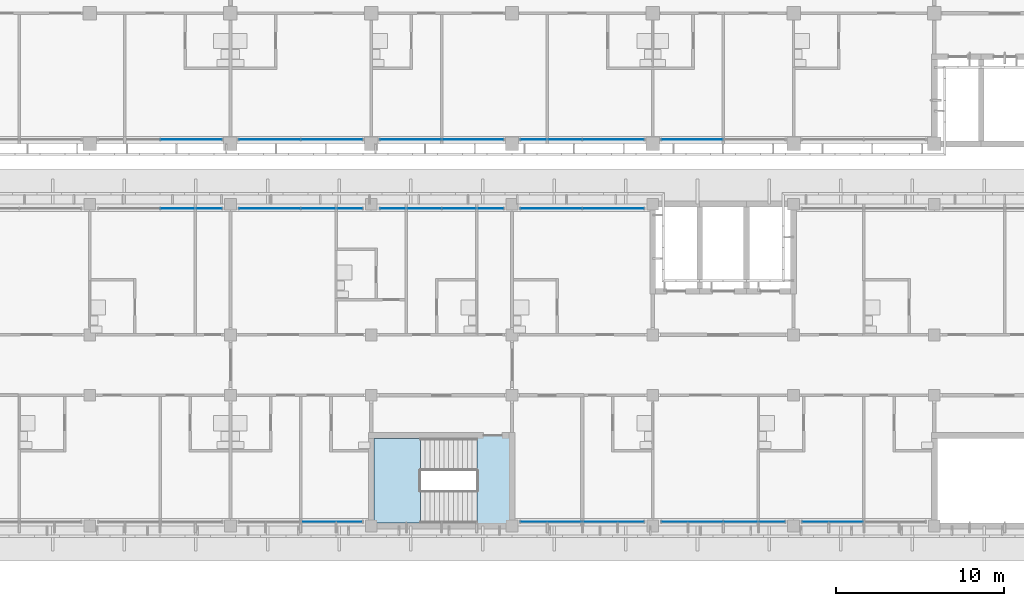
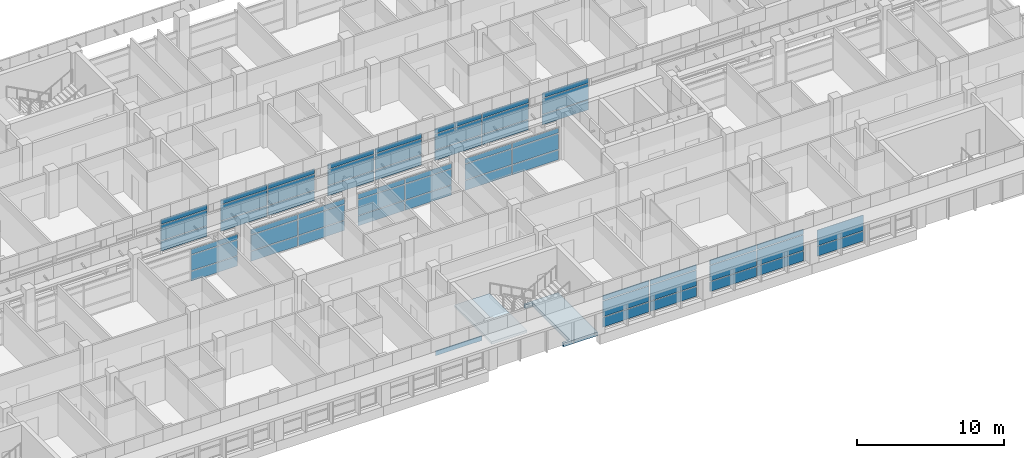
# One storey, part 23 of 71: 60 plates, 2 slabs, 14 elements without a shape of their own.
"""IFC4 building model written with IfcOpenShell, lengths in metres."""

import ifcopenshell
import ifcopenshell.guid

model = None  # the IFC model being written
_history = None  # IfcOwnerHistory: only IFC2X3 demands one
_inside = {}  # id of a spatial element -> (the spatial element, [elements in it])
_under = {}  # id of a project, library or spatial element -> (it, [spatial elements below it])
_declared = {}  # id of a project -> (the project, [libraries it declares])
_typed = {}  # id of a type object -> (the type object, [elements of that type])
_made_of = {}  # id of a material, layer set ... -> (it, [elements and type objects made of it])


def new_model(schema):
    """Start an empty IFC model of exactly this schema.

    Asked for "IFC4X3", IfcOpenShell would pick the latest addendum, in which some entities
    have other attributes; the version numbers below select the first issue.
    IFC2X3 requires an IfcOwnerHistory on every rooted entity: one is made here for all.
    """
    global model, _history
    if schema == "IFC4X3":
        model = ifcopenshell.file(schema_version=(4, 3, 0, 0))
    else:
        model = ifcopenshell.file(schema=schema)
    _inside.clear()
    _under.clear()
    _declared.clear()
    _typed.clear()
    _made_of.clear()
    _history = None
    if model.schema == "IFC2X3":
        org = make("IfcOrganization", Name="unknown")
        user = make(
            "IfcPersonAndOrganization",
            ThePerson=make("IfcPerson", FamilyName="unknown"),
            TheOrganization=org,
        )
        app = make(
            "IfcApplication",
            ApplicationDeveloper=org,
            Version="unknown",
            ApplicationFullName="unknown",
            ApplicationIdentifier="unknown",
        )
        _history = make(
            "IfcOwnerHistory",
            OwningUser=user,
            OwningApplication=app,
            ChangeAction="ADDED",
            CreationDate=0,
        )
    return model


def make(cls, **values):
    """One entity of the class cls with the attributes given. An attribute that is None is left unset."""
    return model.create_entity(
        cls, **{name: value for name, value in values.items() if value is not None}
    )


def rooted(cls, **values):
    """An entity with a GlobalId (a new one), such as an element, a storey or a relation."""
    return make(cls, GlobalId=ifcopenshell.guid.new(), OwnerHistory=_history, **values)


def si_unit(unit_type, name, prefix=None):
    """IfcSIUnit, for example si_unit("LENGTHUNIT", "METRE", prefix="MILLI")."""
    return make("IfcSIUnit", UnitType=unit_type, Prefix=prefix, Name=name)


def assignment(units):
    """IfcUnitAssignment: the units of a project."""
    return None if units is None else make("IfcUnitAssignment", Units=units)


def point(xyz):
    """IfcCartesianPoint."""
    return None if xyz is None else make("IfcCartesianPoint", Coordinates=xyz)


def direction(xyz):
    """IfcDirection."""
    return None if xyz is None else make("IfcDirection", DirectionRatios=xyz)


def frame(location, z_axis=None, x_axis=None):
    """IfcAxis2Placement3D, a coordinate frame: its origin and axes. An axis left out is left unset."""
    return make(
        "IfcAxis2Placement3D",
        Location=point(location),
        Axis=direction(z_axis),
        RefDirection=direction(x_axis),
    )


def frame_2d(location, x_axis=None):
    """IfcAxis2Placement2D, a coordinate frame in the plane: its origin and x axis."""
    return make(
        "IfcAxis2Placement2D", Location=point(location), RefDirection=direction(x_axis)
    )


def origin():
    """The frame at (0, 0, 0) with its axes left unset."""
    return frame((0.0, 0.0, 0.0))


def origin_2d():
    """The frame at (0, 0) in the plane with its x axis left unset."""
    return frame_2d((0.0, 0.0))


def place(relative_to, where):
    """IfcLocalPlacement: puts the frame where relative to a parent placement (None: the world)."""
    return make(
        "IfcLocalPlacement", PlacementRelTo=relative_to, RelativePlacement=where
    )


def context(
    kind, dimensions, precision=None, world=None, true_north=None, identifier=None
):
    """IfcGeometricRepresentationContext, for example the 3D "Model" context."""
    return make(
        "IfcGeometricRepresentationContext",
        ContextIdentifier=identifier,
        ContextType=kind,
        CoordinateSpaceDimension=dimensions,
        Precision=precision,
        WorldCoordinateSystem=world,
        TrueNorth=true_north,
    )


def subcontext(parent, identifier, kind, view, scale=None):
    """IfcGeometricRepresentationSubContext, for example "Body" below "Model"."""
    return make(
        "IfcGeometricRepresentationSubContext",
        ContextIdentifier=identifier,
        ContextType=kind,
        ParentContext=parent,
        TargetScale=scale,
        TargetView=view,
    )


def project(units=None, contexts=None):
    """IfcProject with its units and contexts."""
    return rooted(
        "IfcProject",
        Name="project",
        RepresentationContexts=contexts,
        UnitsInContext=assignment(units),
    )


def spatial(cls, under=None, at=None, **own):
    """A site, building, storey or space (cls), placed at a placement, below another one or the project."""
    s = rooted(cls, ObjectPlacement=at, **own)
    if under is not None:
        _under.setdefault(under.id(), (under, []))[1].append(s)
    return s


def polyline(points):
    """IfcPolyline through the points."""
    return make("IfcPolyline", Points=[point(p) for p in points])


def profile(cls, at=None, kind="AREA", **sizes):
    """A parametric profile (cls). Its sizes go by their IFC names, for example OverallWidth=200.0."""
    return make(cls, ProfileType=kind, Position=at, **sizes)


def rectangle(**sizes):
    """IfcRectangleProfileDef."""
    return profile("IfcRectangleProfileDef", **sizes)


def outline(outer, holes=None, kind="AREA"):
    """IfcArbitraryClosedProfileDef: a profile drawn as a closed curve; with holes, ...WithVoids."""
    if holes is None:
        return make("IfcArbitraryClosedProfileDef", ProfileType=kind, OuterCurve=outer)
    return make(
        "IfcArbitraryProfileDefWithVoids",
        ProfileType=kind,
        OuterCurve=outer,
        InnerCurves=holes,
    )


def extrude(swept, where, along, depth):
    """IfcExtrudedAreaSolid: the profile swept, set in the frame where, extruded along a direction by depth."""
    return make(
        "IfcExtrudedAreaSolid",
        SweptArea=swept,
        Position=where,
        ExtrudedDirection=direction(along),
        Depth=depth,
    )


def shape(context_of_items, identifier, shape_type, items):
    """IfcShapeRepresentation: the items that make up one representation, for example the "Body"."""
    return make(
        "IfcShapeRepresentation",
        ContextOfItems=context_of_items,
        RepresentationIdentifier=identifier,
        RepresentationType=shape_type,
        Items=items,
    )


def material(Name=None, Category=None):
    """IfcMaterial."""
    return make("IfcMaterial", Name=Name, Category=Category)


def layer(
    of_material, thickness, ventilated=None, Name=None, Category=None, Priority=None
):
    """IfcMaterialLayer: one layer of a wall or slab, of a material (None: an air gap)."""
    return make(
        "IfcMaterialLayer",
        Material=of_material,
        LayerThickness=thickness,
        IsVentilated=ventilated,
        Name=Name,
        Category=Category,
        Priority=Priority,
    )


def layer_set(layers, Name=None):
    """IfcMaterialLayerSet."""
    return make("IfcMaterialLayerSet", MaterialLayers=layers, LayerSetName=Name)


def made_of(thing, what):
    """Note that an element or type object is made of a material, layer set ...; save() writes the relation."""
    if what is not None:
        _made_of.setdefault(what.id(), (what, []))[1].append(thing)
    return thing


def type_object(cls, material=None, **own):
    """A type object (cls), such as IfcWallType, which elements share."""
    return made_of(rooted(cls, **own), material)


def element(
    cls,
    number,
    at=None,
    inside=None,
    cuts=None,
    type_object=None,
    material=None,
    context=None,
    identifier="Body",
    shape_type=None,
    held_by="IfcProductDefinitionShape",
    body=None,
    shapes=None,
    **own,
):
    """One element of the class cls, such as IfcWall. Its Tag is "e" and its number.

    at: its placement. inside: the storey or other place that contains it. cuts: it is an
    opening in that element (IfcRelVoidsElement). A single representation is given by context,
    identifier, shape_type and body (its items); several are given by shapes. held_by: the class
    of the entity that holds the representations. save() writes the other relations.
    """
    e = rooted(cls, Tag="e%d" % number, ObjectPlacement=at, **own)
    if body is not None:
        shapes = [shape(context, identifier, shape_type, body)]
    if shapes is not None:
        e.Representation = make(held_by, Representations=shapes)
    if inside is not None:
        _inside.setdefault(inside.id(), (inside, []))[1].append(e)
    if cuts is not None:
        rooted(
            "IfcRelVoidsElement", RelatingBuildingElement=cuts, RelatedOpeningElement=e
        )
    if type_object is not None:
        _typed.setdefault(type_object.id(), (type_object, []))[1].append(e)
    return made_of(e, material)


def aggregate(whole, parts):
    """IfcRelAggregates: a whole, such as a stair, and the parts it consists of."""
    return rooted("IfcRelAggregates", RelatingObject=whole, RelatedObjects=parts)


def save(model, path):
    """Write the relations noted so far, then the file.

    IfcRelAggregates (storeys below a building ...), IfcRelContainedInSpatialStructure (elements
    in a storey), IfcRelDefinesByType, IfcRelAssociatesMaterial and IfcRelDeclares: one each for
    every whole, place, type object, material and project.
    """
    for whole, parts in _under.values():
        aggregate(whole, parts)
    for where, things in _inside.values():
        rooted(
            "IfcRelContainedInSpatialStructure",
            RelatedElements=things,
            RelatingStructure=where,
        )
    for kind, things in _typed.values():
        rooted("IfcRelDefinesByType", RelatedObjects=things, RelatingType=kind)
    for what, things in _made_of.values():
        rooted("IfcRelAssociatesMaterial", RelatedObjects=things, RelatingMaterial=what)
    for by, libraries in _declared.values():
        rooted("IfcRelDeclares", RelatingContext=by, RelatedDefinitions=libraries)
    model.write(path)


model = new_model("IFC4")

# Units and contexts
model_context = context("Model", 3, precision=1e-05, world=origin(), true_north=direction((0.0, 1.0)))
body_context = subcontext(model_context, "Body", "Model", "MODEL_VIEW")
ifc_project = project(units=[si_unit("LENGTHUNIT", "METRE"), si_unit("AREAUNIT", "SQUARE_METRE"), si_unit("VOLUMEUNIT", "CUBIC_METRE"), si_unit("PLANEANGLEUNIT", "RADIAN"), si_unit("MASSUNIT", "GRAM", prefix="KILO")], contexts=[model_context])

# Site, building, storey
site_placement = place(None, origin())
site = spatial("IfcSite", under=ifc_project, at=site_placement, CompositionType="ELEMENT")
building_placement = place(site_placement, origin())
building = spatial("IfcBuilding", under=site, at=building_placement, Name="Bougainvillea Quay General Hospital", CompositionType="ELEMENT")
storey_placement = place(building_placement, frame((0.0, 0.0, 24.89990234375)))
storey = spatial("IfcBuildingStorey", under=building, at=storey_placement, Name="L05", CompositionType="ELEMENT", Elevation=24.89990234375)

# Curtain wall, plates
ifc_material_1 = material(Name="Aluminium curtain wall system, powder-coated glazed", Category="aluminium")
curtain_wall_type = type_object("IfcCurtainWallType", Name="Unitised curtain wall CW-3730", PredefinedType="NOTDEFINED", material=ifc_material_1)
curtain_wall_1_placement = place(storey_placement, origin())
curtain_wall_1 = element("IfcCurtainWall", 1, at=curtain_wall_1_placement, inside=storey, type_object=curtain_wall_type, Name="CW-4200 03", PredefinedType="NOTDEFINED")
ifc_material_2 = material(Name="Insulated aluminium spandrel panel, white", Category="aluminium")
ifc_layer_1 = layer(ifc_material_2, 0.028076171875)
ifc_layer_set_1 = layer_set([ifc_layer_1], Name="Insulated aluminium spandrel panel, white")
plate_type_1 = type_object("IfcPlateType", Name="Insulated spandrel panel white 28", PredefinedType="CURTAIN_PANEL", material=ifc_layer_set_1)
plate_1_placement = place(storey_placement, frame((106.85009765625, 140.64990234375, 0.06005859375), z_axis=(0.0, 0.0, 1.0), x_axis=(1.0, 0.0, 0.0)))
plate_1 = element("IfcPlate", 2, at=plate_1_placement, type_object=plate_type_1, Name="CW-4200 spandrel panel 2.1", PredefinedType="CURTAIN_PANEL", context=body_context, shape_type="SweptSolid", body=[
    extrude(rectangle(XDim=3.639892578125, YDim=0.028076171875, at=origin_2d()), origin(), (0.0, 0.0, 1.0), 0.81005859375),
])
plate_2_placement = place(storey_placement, frame((106.85009765625, 140.64990234375, 2.2802734375), z_axis=(0.0, 0.0, 1.0), x_axis=(1.0, 0.0, 0.0)))
plate_2 = element("IfcPlate", 3, at=plate_2_placement, type_object=plate_type_1, Name="CW-4200 spandrel panel 2.3", PredefinedType="CURTAIN_PANEL", context=body_context, shape_type="SweptSolid", body=[
    extrude(rectangle(XDim=3.639892578125, YDim=0.028076171875, at=origin_2d()), origin(), (0.0, 0.0, 1.0), 0.409912109375),
])

curtain_wall_2_placement = place(storey_placement, origin())
curtain_wall_2 = element("IfcCurtainWall", 4, at=curtain_wall_2_placement, inside=storey, type_object=curtain_wall_type, Name="CW-4200 04", PredefinedType="NOTDEFINED")
plate_3_placement = place(storey_placement, frame((111.550048828125, 140.64990234375, 0.06005859375), z_axis=(0.0, 0.0, 1.0), x_axis=(1.0, 0.0, 0.0)))
plate_3 = element("IfcPlate", 5, at=plate_3_placement, type_object=plate_type_1, Name="CW-4200 spandrel panel 1.1", PredefinedType="CURTAIN_PANEL", context=body_context, shape_type="SweptSolid", body=[
    extrude(rectangle(XDim=3.639892578125, YDim=0.028076171875, at=origin_2d()), origin(), (0.0, 0.0, 1.0), 0.81005859375),
])
plate_4_placement = place(storey_placement, frame((111.550048828125, 140.64990234375, 2.2802734375), z_axis=(0.0, 0.0, 1.0), x_axis=(1.0, 0.0, 0.0)))
plate_4 = element("IfcPlate", 6, at=plate_4_placement, type_object=plate_type_1, Name="CW-4200 spandrel panel 1.3", PredefinedType="CURTAIN_PANEL", context=body_context, shape_type="SweptSolid", body=[
    extrude(rectangle(XDim=3.639892578125, YDim=0.028076171875, at=origin_2d()), origin(), (0.0, 0.0, 1.0), 0.409912109375),
])
plate_5_placement = place(storey_placement, frame((115.25, 140.64990234375, 0.06005859375), z_axis=(0.0, 0.0, 1.0), x_axis=(1.0, 0.0, 0.0)))
plate_5 = element("IfcPlate", 7, at=plate_5_placement, type_object=plate_type_1, Name="CW-4200 spandrel panel 2.1", PredefinedType="CURTAIN_PANEL", context=body_context, shape_type="SweptSolid", body=[
    extrude(rectangle(XDim=3.639892578125, YDim=0.028076171875, at=origin_2d()), origin(), (0.0, 0.0, 1.0), 0.81005859375),
])
plate_6_placement = place(storey_placement, frame((115.25, 140.64990234375, 2.2802734375), z_axis=(0.0, 0.0, 1.0), x_axis=(1.0, 0.0, 0.0)))
plate_6 = element("IfcPlate", 8, at=plate_6_placement, type_object=plate_type_1, Name="CW-4200 spandrel panel 2.3", PredefinedType="CURTAIN_PANEL", context=body_context, shape_type="SweptSolid", body=[
    extrude(rectangle(XDim=3.639892578125, YDim=0.028076171875, at=origin_2d()), origin(), (0.0, 0.0, 1.0), 0.409912109375),
])

curtain_wall_3_placement = place(storey_placement, origin())
curtain_wall_3 = element("IfcCurtainWall", 9, at=curtain_wall_3_placement, inside=storey, type_object=curtain_wall_type, Name="CW-4200 05", PredefinedType="NOTDEFINED")
plate_7_placement = place(storey_placement, frame((119.949951171875, 140.64990234375, 0.06005859375), z_axis=(0.0, 0.0, 1.0), x_axis=(1.0, 0.0, 0.0)))
plate_7 = element("IfcPlate", 10, at=plate_7_placement, type_object=plate_type_1, Name="CW-4200 spandrel panel 1.1", PredefinedType="CURTAIN_PANEL", context=body_context, shape_type="SweptSolid", body=[
    extrude(rectangle(XDim=3.639892578125, YDim=0.028076171875, at=origin_2d()), origin(), (0.0, 0.0, 1.0), 0.81005859375),
])
plate_8_placement = place(storey_placement, frame((119.949951171875, 140.64990234375, 2.2802734375), z_axis=(0.0, 0.0, 1.0), x_axis=(1.0, 0.0, 0.0)))
plate_8 = element("IfcPlate", 11, at=plate_8_placement, type_object=plate_type_1, Name="CW-4200 spandrel panel 1.3", PredefinedType="CURTAIN_PANEL", context=body_context, shape_type="SweptSolid", body=[
    extrude(rectangle(XDim=3.639892578125, YDim=0.028076171875, at=origin_2d()), origin(), (0.0, 0.0, 1.0), 0.409912109375),
])
plate_9_placement = place(storey_placement, frame((123.64990234375, 140.64990234375, 0.06005859375), z_axis=(0.0, 0.0, 1.0), x_axis=(1.0, 0.0, 0.0)))
plate_9 = element("IfcPlate", 12, at=plate_9_placement, type_object=plate_type_1, Name="CW-4200 spandrel panel 2.1", PredefinedType="CURTAIN_PANEL", context=body_context, shape_type="SweptSolid", body=[
    extrude(rectangle(XDim=3.639892578125, YDim=0.028076171875, at=origin_2d()), origin(), (0.0, 0.0, 1.0), 0.81005859375),
])
plate_10_placement = place(storey_placement, frame((123.64990234375, 140.64990234375, 2.2802734375), z_axis=(0.0, 0.0, 1.0), x_axis=(1.0, 0.0, 0.0)))
plate_10 = element("IfcPlate", 13, at=plate_10_placement, type_object=plate_type_1, Name="CW-4200 spandrel panel 2.3", PredefinedType="CURTAIN_PANEL", context=body_context, shape_type="SweptSolid", body=[
    extrude(rectangle(XDim=3.639892578125, YDim=0.028076171875, at=origin_2d()), origin(), (0.0, 0.0, 1.0), 0.409912109375),
])

curtain_wall_4_placement = place(storey_placement, origin())
curtain_wall_4 = element("IfcCurtainWall", 14, at=curtain_wall_4_placement, inside=storey, type_object=curtain_wall_type, Name="CW-4200 06", PredefinedType="NOTDEFINED")
plate_11_placement = place(storey_placement, frame((128.35009765625, 140.64990234375, 0.06005859375), z_axis=(0.0, 0.0, 1.0), x_axis=(1.0, 0.0, 0.0)))
plate_11 = element("IfcPlate", 15, at=plate_11_placement, type_object=plate_type_1, Name="CW-4200 spandrel panel 1.1", PredefinedType="CURTAIN_PANEL", context=body_context, shape_type="SweptSolid", body=[
    extrude(rectangle(XDim=3.639892578125, YDim=0.028076171875, at=origin_2d()), origin(), (0.0, 0.0, 1.0), 0.81005859375),
])
plate_12_placement = place(storey_placement, frame((128.35009765625, 140.64990234375, 2.2802734375), z_axis=(0.0, 0.0, 1.0), x_axis=(1.0, 0.0, 0.0)))
plate_12 = element("IfcPlate", 16, at=plate_12_placement, type_object=plate_type_1, Name="CW-4200 spandrel panel 1.3", PredefinedType="CURTAIN_PANEL", context=body_context, shape_type="SweptSolid", body=[
    extrude(rectangle(XDim=3.639892578125, YDim=0.028076171875, at=origin_2d()), origin(), (0.0, 0.0, 1.0), 0.409912109375),
])
plate_13_placement = place(storey_placement, frame((132.050048828125, 140.64990234375, 0.06005859375), z_axis=(0.0, 0.0, 1.0), x_axis=(1.0, 0.0, 0.0)))
plate_13 = element("IfcPlate", 17, at=plate_13_placement, type_object=plate_type_1, Name="CW-4200 spandrel panel 2.1", PredefinedType="CURTAIN_PANEL", context=body_context, shape_type="SweptSolid", body=[
    extrude(rectangle(XDim=3.639892578125, YDim=0.028076171875, at=origin_2d()), origin(), (0.0, 0.0, 1.0), 0.81005859375),
])
plate_14_placement = place(storey_placement, frame((132.050048828125, 140.64990234375, 2.2802734375), z_axis=(0.0, 0.0, 1.0), x_axis=(1.0, 0.0, 0.0)))
plate_14 = element("IfcPlate", 18, at=plate_14_placement, type_object=plate_type_1, Name="CW-4200 spandrel panel 2.3", PredefinedType="CURTAIN_PANEL", context=body_context, shape_type="SweptSolid", body=[
    extrude(rectangle(XDim=3.639892578125, YDim=0.028076171875, at=origin_2d()), origin(), (0.0, 0.0, 1.0), 0.409912109375),
])

curtain_wall_5_placement = place(storey_placement, origin())
curtain_wall_5 = element("IfcCurtainWall", 19, at=curtain_wall_5_placement, inside=storey, type_object=curtain_wall_type, Name="CW-4200 07", PredefinedType="NOTDEFINED")
plate_15_placement = place(storey_placement, frame((136.75, 140.64990234375, 0.06005859375), z_axis=(0.0, 0.0, 1.0), x_axis=(1.0, 0.0, 0.0)))
plate_15 = element("IfcPlate", 20, at=plate_15_placement, type_object=plate_type_1, Name="CW-4200 spandrel panel 1.1", PredefinedType="CURTAIN_PANEL", context=body_context, shape_type="SweptSolid", body=[
    extrude(rectangle(XDim=3.639892578125, YDim=0.028076171875, at=origin_2d()), origin(), (0.0, 0.0, 1.0), 0.81005859375),
])
plate_16_placement = place(storey_placement, frame((136.75, 140.64990234375, 2.2802734375), z_axis=(0.0, 0.0, 1.0), x_axis=(1.0, 0.0, 0.0)))
plate_16 = element("IfcPlate", 21, at=plate_16_placement, type_object=plate_type_1, Name="CW-4200 spandrel panel 1.3", PredefinedType="CURTAIN_PANEL", context=body_context, shape_type="SweptSolid", body=[
    extrude(rectangle(XDim=3.639892578125, YDim=0.028076171875, at=origin_2d()), origin(), (0.0, 0.0, 1.0), 0.409912109375),
])

# Curtain wall, plate
curtain_wall_6_placement = place(storey_placement, origin())
curtain_wall_6 = element("IfcCurtainWall", 22, at=curtain_wall_6_placement, inside=storey, type_object=curtain_wall_type, Name="CW-4200 06", PredefinedType="NOTDEFINED")
plate_17_placement = place(storey_placement, frame((115.25, 117.85009765625, 2.2802734375), z_axis=(0.0, 0.0, 1.0), x_axis=(1.0, 0.0, 0.0)))
plate_17 = element("IfcPlate", 23, at=plate_17_placement, type_object=plate_type_1, Name="CW-4200 spandrel panel 2.3", PredefinedType="CURTAIN_PANEL", context=body_context, shape_type="SweptSolid", body=[
    extrude(rectangle(XDim=3.639892578125, YDim=0.028076171875, at=origin_2d()), origin(), (0.0, 0.0, 1.0), 0.409912109375),
])
aggregate(curtain_wall_6, [plate_17])

# Curtain wall, plates
curtain_wall_7_placement = place(storey_placement, origin())
curtain_wall_7 = element("IfcCurtainWall", 24, at=curtain_wall_7_placement, inside=storey, type_object=curtain_wall_type, Name="CW-4200 07", PredefinedType="NOTDEFINED")
plate_18_placement = place(storey_placement, frame((128.35009765625, 117.85009765625, 0.06005859375), z_axis=(0.0, 0.0, 1.0), x_axis=(1.0, 0.0, 0.0)))
plate_18 = element("IfcPlate", 25, at=plate_18_placement, type_object=plate_type_1, Name="CW-4200 spandrel panel 1.1", PredefinedType="CURTAIN_PANEL", context=body_context, shape_type="SweptSolid", body=[
    extrude(rectangle(XDim=3.639892578125, YDim=0.028076171875, at=origin_2d()), origin(), (0.0, 0.0, 1.0), 0.81005859375),
])
plate_19_placement = place(storey_placement, frame((128.35009765625, 117.85009765625, 2.2802734375), z_axis=(0.0, 0.0, 1.0), x_axis=(1.0, 0.0, 0.0)))
plate_19 = element("IfcPlate", 26, at=plate_19_placement, type_object=plate_type_1, Name="CW-4200 spandrel panel 1.3", PredefinedType="CURTAIN_PANEL", context=body_context, shape_type="SweptSolid", body=[
    extrude(rectangle(XDim=3.639892578125, YDim=0.028076171875, at=origin_2d()), origin(), (0.0, 0.0, 1.0), 0.409912109375),
])
plate_20_placement = place(storey_placement, frame((132.050048828125, 117.85009765625, 0.06005859375), z_axis=(0.0, 0.0, 1.0), x_axis=(1.0, 0.0, 0.0)))
plate_20 = element("IfcPlate", 27, at=plate_20_placement, type_object=plate_type_1, Name="CW-4200 spandrel panel 2.1", PredefinedType="CURTAIN_PANEL", context=body_context, shape_type="SweptSolid", body=[
    extrude(rectangle(XDim=3.639892578125, YDim=0.028076171875, at=origin_2d()), origin(), (0.0, 0.0, 1.0), 0.81005859375),
])
plate_21_placement = place(storey_placement, frame((132.050048828125, 117.85009765625, 2.2802734375), z_axis=(0.0, 0.0, 1.0), x_axis=(1.0, 0.0, 0.0)))
plate_21 = element("IfcPlate", 28, at=plate_21_placement, type_object=plate_type_1, Name="CW-4200 spandrel panel 2.3", PredefinedType="CURTAIN_PANEL", context=body_context, shape_type="SweptSolid", body=[
    extrude(rectangle(XDim=3.639892578125, YDim=0.028076171875, at=origin_2d()), origin(), (0.0, 0.0, 1.0), 0.409912109375),
])

curtain_wall_8_placement = place(storey_placement, origin())
curtain_wall_8 = element("IfcCurtainWall", 29, at=curtain_wall_8_placement, inside=storey, type_object=curtain_wall_type, Name="CW-4200 08", PredefinedType="NOTDEFINED")
plate_22_placement = place(storey_placement, frame((136.75, 117.85009765625, 0.06005859375), z_axis=(0.0, 0.0, 1.0), x_axis=(1.0, 0.0, 0.0)))
plate_22 = element("IfcPlate", 30, at=plate_22_placement, type_object=plate_type_1, Name="CW-4200 spandrel panel 1.1", PredefinedType="CURTAIN_PANEL", context=body_context, shape_type="SweptSolid", body=[
    extrude(rectangle(XDim=3.639892578125, YDim=0.028076171875, at=origin_2d()), origin(), (0.0, 0.0, 1.0), 0.81005859375),
])
plate_23_placement = place(storey_placement, frame((136.75, 117.85009765625, 2.2802734375), z_axis=(0.0, 0.0, 1.0), x_axis=(1.0, 0.0, 0.0)))
plate_23 = element("IfcPlate", 31, at=plate_23_placement, type_object=plate_type_1, Name="CW-4200 spandrel panel 1.3", PredefinedType="CURTAIN_PANEL", context=body_context, shape_type="SweptSolid", body=[
    extrude(rectangle(XDim=3.639892578125, YDim=0.028076171875, at=origin_2d()), origin(), (0.0, 0.0, 1.0), 0.409912109375),
])
plate_24_placement = place(storey_placement, frame((140.449951171875, 117.85009765625, 0.06005859375), z_axis=(0.0, 0.0, 1.0), x_axis=(1.0, 0.0, 0.0)))
plate_24 = element("IfcPlate", 32, at=plate_24_placement, type_object=plate_type_1, Name="CW-4200 spandrel panel 2.1", PredefinedType="CURTAIN_PANEL", context=body_context, shape_type="SweptSolid", body=[
    extrude(rectangle(XDim=3.639892578125, YDim=0.028076171875, at=origin_2d()), origin(), (0.0, 0.0, 1.0), 0.81005859375),
])
plate_25_placement = place(storey_placement, frame((140.449951171875, 117.85009765625, 2.2802734375), z_axis=(0.0, 0.0, 1.0), x_axis=(1.0, 0.0, 0.0)))
plate_25 = element("IfcPlate", 33, at=plate_25_placement, type_object=plate_type_1, Name="CW-4200 spandrel panel 2.3", PredefinedType="CURTAIN_PANEL", context=body_context, shape_type="SweptSolid", body=[
    extrude(rectangle(XDim=3.639892578125, YDim=0.028076171875, at=origin_2d()), origin(), (0.0, 0.0, 1.0), 0.409912109375),
])

# Curtain wall, plate
curtain_wall_9_placement = place(storey_placement, origin())
curtain_wall_9 = element("IfcCurtainWall", 34, at=curtain_wall_9_placement, inside=storey, type_object=curtain_wall_type, Name="CW-4200 09", PredefinedType="NOTDEFINED")
plate_26_placement = place(storey_placement, frame((145.14990234375, 117.85009765625, 0.06005859375), z_axis=(0.0, 0.0, 1.0), x_axis=(1.0, 0.0, 0.0)))
plate_26 = element("IfcPlate", 35, at=plate_26_placement, type_object=plate_type_1, Name="CW-4200 spandrel panel 1.1", PredefinedType="CURTAIN_PANEL", context=body_context, shape_type="SweptSolid", body=[
    extrude(rectangle(XDim=3.639892578125, YDim=0.028076171875, at=origin_2d()), origin(), (0.0, 0.0, 1.0), 0.81005859375),
])

# Curtain wall, plates
curtain_wall_10_placement = place(storey_placement, origin())
curtain_wall_10 = element("IfcCurtainWall", 36, at=curtain_wall_10_placement, inside=storey, type_object=curtain_wall_type, Name="CW-4200 00", PredefinedType="NOTDEFINED")
plate_27_placement = place(storey_placement, frame((132.050048828125, 136.550048828125, 0.06005859375), z_axis=(0.0, 0.0, 1.0), x_axis=(-1.0, 0.0, 0.0)))
plate_27 = element("IfcPlate", 37, at=plate_27_placement, type_object=plate_type_1, Name="CW-4200 spandrel panel 1.1", PredefinedType="CURTAIN_PANEL", context=body_context, shape_type="SweptSolid", body=[
    extrude(rectangle(XDim=3.639892578125, YDim=0.028076171875, at=origin_2d()), origin(), (0.0, 0.0, 1.0), 0.81005859375),
])
plate_28_placement = place(storey_placement, frame((132.050048828125, 136.550048828125, 2.2802734375), z_axis=(0.0, 0.0, 1.0), x_axis=(-1.0, 0.0, 0.0)))
plate_28 = element("IfcPlate", 38, at=plate_28_placement, type_object=plate_type_1, Name="CW-4200 spandrel panel 1.3", PredefinedType="CURTAIN_PANEL", context=body_context, shape_type="SweptSolid", body=[
    extrude(rectangle(XDim=3.639892578125, YDim=0.028076171875, at=origin_2d()), origin(), (0.0, 0.0, 1.0), 0.409912109375),
])
plate_29_placement = place(storey_placement, frame((128.35009765625, 136.550048828125, 0.06005859375), z_axis=(0.0, 0.0, 1.0), x_axis=(-1.0, 0.0, 0.0)))
plate_29 = element("IfcPlate", 39, at=plate_29_placement, type_object=plate_type_1, Name="CW-4200 spandrel panel 2.1", PredefinedType="CURTAIN_PANEL", context=body_context, shape_type="SweptSolid", body=[
    extrude(rectangle(XDim=3.639892578125, YDim=0.028076171875, at=origin_2d()), origin(), (0.0, 0.0, 1.0), 0.81005859375),
])
plate_30_placement = place(storey_placement, frame((128.35009765625, 136.550048828125, 2.2802734375), z_axis=(0.0, 0.0, 1.0), x_axis=(-1.0, 0.0, 0.0)))
plate_30 = element("IfcPlate", 40, at=plate_30_placement, type_object=plate_type_1, Name="CW-4200 spandrel panel 2.3", PredefinedType="CURTAIN_PANEL", context=body_context, shape_type="SweptSolid", body=[
    extrude(rectangle(XDim=3.639892578125, YDim=0.028076171875, at=origin_2d()), origin(), (0.0, 0.0, 1.0), 0.409912109375),
])

curtain_wall_11_placement = place(storey_placement, origin())
curtain_wall_11 = element("IfcCurtainWall", 41, at=curtain_wall_11_placement, inside=storey, type_object=curtain_wall_type, Name="CW-4200 01", PredefinedType="NOTDEFINED")
plate_31_placement = place(storey_placement, frame((123.64990234375, 136.550048828125, 0.06005859375), z_axis=(0.0, 0.0, 1.0), x_axis=(-1.0, 0.0, 0.0)))
plate_31 = element("IfcPlate", 42, at=plate_31_placement, type_object=plate_type_1, Name="CW-4200 spandrel panel 1.1", PredefinedType="CURTAIN_PANEL", context=body_context, shape_type="SweptSolid", body=[
    extrude(rectangle(XDim=3.639892578125, YDim=0.028076171875, at=origin_2d()), origin(), (0.0, 0.0, 1.0), 0.81005859375),
])
plate_32_placement = place(storey_placement, frame((123.64990234375, 136.550048828125, 2.2802734375), z_axis=(0.0, 0.0, 1.0), x_axis=(-1.0, 0.0, 0.0)))
plate_32 = element("IfcPlate", 43, at=plate_32_placement, type_object=plate_type_1, Name="CW-4200 spandrel panel 1.3", PredefinedType="CURTAIN_PANEL", context=body_context, shape_type="SweptSolid", body=[
    extrude(rectangle(XDim=3.639892578125, YDim=0.028076171875, at=origin_2d()), origin(), (0.0, 0.0, 1.0), 0.409912109375),
])
plate_33_placement = place(storey_placement, frame((119.949951171875, 136.550048828125, 0.06005859375), z_axis=(0.0, 0.0, 1.0), x_axis=(-1.0, 0.0, 0.0)))
plate_33 = element("IfcPlate", 44, at=plate_33_placement, type_object=plate_type_1, Name="CW-4200 spandrel panel 2.1", PredefinedType="CURTAIN_PANEL", context=body_context, shape_type="SweptSolid", body=[
    extrude(rectangle(XDim=3.639892578125, YDim=0.028076171875, at=origin_2d()), origin(), (0.0, 0.0, 1.0), 0.81005859375),
])
plate_34_placement = place(storey_placement, frame((119.949951171875, 136.550048828125, 2.2802734375), z_axis=(0.0, 0.0, 1.0), x_axis=(-1.0, 0.0, 0.0)))
plate_34 = element("IfcPlate", 45, at=plate_34_placement, type_object=plate_type_1, Name="CW-4200 spandrel panel 2.3", PredefinedType="CURTAIN_PANEL", context=body_context, shape_type="SweptSolid", body=[
    extrude(rectangle(XDim=3.639892578125, YDim=0.028076171875, at=origin_2d()), origin(), (0.0, 0.0, 1.0), 0.409912109375),
])

curtain_wall_12_placement = place(storey_placement, origin())
curtain_wall_12 = element("IfcCurtainWall", 46, at=curtain_wall_12_placement, inside=storey, type_object=curtain_wall_type, Name="CW-4200 02", PredefinedType="NOTDEFINED")
plate_35_placement = place(storey_placement, frame((115.25, 136.550048828125, 0.06005859375), z_axis=(0.0, 0.0, 1.0), x_axis=(-1.0, 0.0, 0.0)))
plate_35 = element("IfcPlate", 47, at=plate_35_placement, type_object=plate_type_1, Name="CW-4200 spandrel panel 1.1", PredefinedType="CURTAIN_PANEL", context=body_context, shape_type="SweptSolid", body=[
    extrude(rectangle(XDim=3.639892578125, YDim=0.028076171875, at=origin_2d()), origin(), (0.0, 0.0, 1.0), 0.81005859375),
])
plate_36_placement = place(storey_placement, frame((115.25, 136.550048828125, 2.2802734375), z_axis=(0.0, 0.0, 1.0), x_axis=(-1.0, 0.0, 0.0)))
plate_36 = element("IfcPlate", 48, at=plate_36_placement, type_object=plate_type_1, Name="CW-4200 spandrel panel 1.3", PredefinedType="CURTAIN_PANEL", context=body_context, shape_type="SweptSolid", body=[
    extrude(rectangle(XDim=3.639892578125, YDim=0.028076171875, at=origin_2d()), origin(), (0.0, 0.0, 1.0), 0.409912109375),
])
plate_37_placement = place(storey_placement, frame((111.550048828125, 136.550048828125, 0.06005859375), z_axis=(0.0, 0.0, 1.0), x_axis=(-1.0, 0.0, 0.0)))
plate_37 = element("IfcPlate", 49, at=plate_37_placement, type_object=plate_type_1, Name="CW-4200 spandrel panel 2.1", PredefinedType="CURTAIN_PANEL", context=body_context, shape_type="SweptSolid", body=[
    extrude(rectangle(XDim=3.639892578125, YDim=0.028076171875, at=origin_2d()), origin(), (0.0, 0.0, 1.0), 0.81005859375),
])
plate_38_placement = place(storey_placement, frame((111.550048828125, 136.550048828125, 2.2802734375), z_axis=(0.0, 0.0, 1.0), x_axis=(-1.0, 0.0, 0.0)))
plate_38 = element("IfcPlate", 50, at=plate_38_placement, type_object=plate_type_1, Name="CW-4200 spandrel panel 2.3", PredefinedType="CURTAIN_PANEL", context=body_context, shape_type="SweptSolid", body=[
    extrude(rectangle(XDim=3.639892578125, YDim=0.028076171875, at=origin_2d()), origin(), (0.0, 0.0, 1.0), 0.409912109375),
])

curtain_wall_13_placement = place(storey_placement, origin())
curtain_wall_13 = element("IfcCurtainWall", 51, at=curtain_wall_13_placement, inside=storey, type_object=curtain_wall_type, Name="CW-4200 03", PredefinedType="NOTDEFINED")
plate_39_placement = place(storey_placement, frame((106.85009765625, 136.550048828125, 0.06005859375), z_axis=(0.0, 0.0, 1.0), x_axis=(-1.0, 0.0, 0.0)))
plate_39 = element("IfcPlate", 52, at=plate_39_placement, type_object=plate_type_1, Name="CW-4200 spandrel panel 1.1", PredefinedType="CURTAIN_PANEL", context=body_context, shape_type="SweptSolid", body=[
    extrude(rectangle(XDim=3.639892578125, YDim=0.028076171875, at=origin_2d()), origin(), (0.0, 0.0, 1.0), 0.81005859375),
])
plate_40_placement = place(storey_placement, frame((106.85009765625, 136.550048828125, 2.2802734375), z_axis=(0.0, 0.0, 1.0), x_axis=(-1.0, 0.0, 0.0)))
plate_40 = element("IfcPlate", 53, at=plate_40_placement, type_object=plate_type_1, Name="CW-4200 spandrel panel 1.3", PredefinedType="CURTAIN_PANEL", context=body_context, shape_type="SweptSolid", body=[
    extrude(rectangle(XDim=3.639892578125, YDim=0.028076171875, at=origin_2d()), origin(), (0.0, 0.0, 1.0), 0.409912109375),
])

# Plate
ifc_material_3 = material(Name="Low-e laminated glass, solar control", Category="glass")
ifc_layer_2 = layer(ifc_material_3, 0.028076171875)
ifc_layer_set_2 = layer_set([ifc_layer_2], Name="Low-e laminated glass, solar control")
plate_type_2 = type_object("IfcPlateType", Name="Low-e laminated vision glass 28", PredefinedType="CURTAIN_PANEL", material=ifc_layer_set_2)
plate_41_placement = place(storey_placement, frame((106.85009765625, 140.64990234375, 0.93017578125), z_axis=(0.0, 0.0, 1.0), x_axis=(1.0, 0.0, 0.0)))
plate_41 = element("IfcPlate", 54, at=plate_41_placement, type_object=plate_type_2, Name="CW-4200 vision glass panel 2.2", PredefinedType="CURTAIN_PANEL", context=body_context, shape_type="SweptSolid", body=[
    extrude(rectangle(XDim=3.639892578125, YDim=0.028076171875, at=origin_2d()), origin(), (0.0, 0.0, 1.0), 1.2900390625),
])

aggregate(curtain_wall_1, [plate_1, plate_41, plate_2])

plate_42_placement = place(storey_placement, frame((111.550048828125, 140.64990234375, 0.93017578125), z_axis=(0.0, 0.0, 1.0), x_axis=(1.0, 0.0, 0.0)))
plate_42 = element("IfcPlate", 55, at=plate_42_placement, type_object=plate_type_2, Name="CW-4200 vision glass panel 1.2", PredefinedType="CURTAIN_PANEL", context=body_context, shape_type="SweptSolid", body=[
    extrude(rectangle(XDim=3.639892578125, YDim=0.028076171875, at=origin_2d()), origin(), (0.0, 0.0, 1.0), 1.2900390625),
])

plate_43_placement = place(storey_placement, frame((115.25, 140.64990234375, 0.93017578125), z_axis=(0.0, 0.0, 1.0), x_axis=(1.0, 0.0, 0.0)))
plate_43 = element("IfcPlate", 56, at=plate_43_placement, type_object=plate_type_2, Name="CW-4200 vision glass panel 2.2", PredefinedType="CURTAIN_PANEL", context=body_context, shape_type="SweptSolid", body=[
    extrude(rectangle(XDim=3.639892578125, YDim=0.028076171875, at=origin_2d()), origin(), (0.0, 0.0, 1.0), 1.2900390625),
])

aggregate(curtain_wall_2, [plate_3, plate_42, plate_4, plate_5, plate_43, plate_6])

plate_44_placement = place(storey_placement, frame((119.949951171875, 140.64990234375, 0.93017578125), z_axis=(0.0, 0.0, 1.0), x_axis=(1.0, 0.0, 0.0)))
plate_44 = element("IfcPlate", 57, at=plate_44_placement, type_object=plate_type_2, Name="CW-4200 vision glass panel 1.2", PredefinedType="CURTAIN_PANEL", context=body_context, shape_type="SweptSolid", body=[
    extrude(rectangle(XDim=3.639892578125, YDim=0.028076171875, at=origin_2d()), origin(), (0.0, 0.0, 1.0), 1.2900390625),
])

plate_45_placement = place(storey_placement, frame((123.64990234375, 140.64990234375, 0.93017578125), z_axis=(0.0, 0.0, 1.0), x_axis=(1.0, 0.0, 0.0)))
plate_45 = element("IfcPlate", 58, at=plate_45_placement, type_object=plate_type_2, Name="CW-4200 vision glass panel 2.2", PredefinedType="CURTAIN_PANEL", context=body_context, shape_type="SweptSolid", body=[
    extrude(rectangle(XDim=3.639892578125, YDim=0.028076171875, at=origin_2d()), origin(), (0.0, 0.0, 1.0), 1.2900390625),
])

aggregate(curtain_wall_3, [plate_7, plate_44, plate_8, plate_9, plate_45, plate_10])

plate_46_placement = place(storey_placement, frame((128.35009765625, 140.64990234375, 0.93017578125), z_axis=(0.0, 0.0, 1.0), x_axis=(1.0, 0.0, 0.0)))
plate_46 = element("IfcPlate", 59, at=plate_46_placement, type_object=plate_type_2, Name="CW-4200 vision glass panel 1.2", PredefinedType="CURTAIN_PANEL", context=body_context, shape_type="SweptSolid", body=[
    extrude(rectangle(XDim=3.639892578125, YDim=0.028076171875, at=origin_2d()), origin(), (0.0, 0.0, 1.0), 1.2900390625),
])

plate_47_placement = place(storey_placement, frame((132.050048828125, 140.64990234375, 0.93017578125), z_axis=(0.0, 0.0, 1.0), x_axis=(1.0, 0.0, 0.0)))
plate_47 = element("IfcPlate", 60, at=plate_47_placement, type_object=plate_type_2, Name="CW-4200 vision glass panel 2.2", PredefinedType="CURTAIN_PANEL", context=body_context, shape_type="SweptSolid", body=[
    extrude(rectangle(XDim=3.639892578125, YDim=0.028076171875, at=origin_2d()), origin(), (0.0, 0.0, 1.0), 1.2900390625),
])

aggregate(curtain_wall_4, [plate_11, plate_46, plate_12, plate_13, plate_47, plate_14])

plate_48_placement = place(storey_placement, frame((136.75, 140.64990234375, 0.93017578125), z_axis=(0.0, 0.0, 1.0), x_axis=(1.0, 0.0, 0.0)))
plate_48 = element("IfcPlate", 61, at=plate_48_placement, type_object=plate_type_2, Name="CW-4200 vision glass panel 1.2", PredefinedType="CURTAIN_PANEL", context=body_context, shape_type="SweptSolid", body=[
    extrude(rectangle(XDim=3.639892578125, YDim=0.028076171875, at=origin_2d()), origin(), (0.0, 0.0, 1.0), 1.2900390625),
])

aggregate(curtain_wall_5, [plate_15, plate_48, plate_16])

plate_49_placement = place(storey_placement, frame((128.35009765625, 117.85009765625, 0.93017578125), z_axis=(0.0, 0.0, 1.0), x_axis=(1.0, 0.0, 0.0)))
plate_49 = element("IfcPlate", 62, at=plate_49_placement, type_object=plate_type_2, Name="CW-4200 vision glass panel 1.2", PredefinedType="CURTAIN_PANEL", context=body_context, shape_type="SweptSolid", body=[
    extrude(rectangle(XDim=3.639892578125, YDim=0.028076171875, at=origin_2d()), origin(), (0.0, 0.0, 1.0), 1.2900390625),
])

plate_50_placement = place(storey_placement, frame((132.050048828125, 117.85009765625, 0.93017578125), z_axis=(0.0, 0.0, 1.0), x_axis=(1.0, 0.0, 0.0)))
plate_50 = element("IfcPlate", 63, at=plate_50_placement, type_object=plate_type_2, Name="CW-4200 vision glass panel 2.2", PredefinedType="CURTAIN_PANEL", context=body_context, shape_type="SweptSolid", body=[
    extrude(rectangle(XDim=3.639892578125, YDim=0.028076171875, at=origin_2d()), origin(), (0.0, 0.0, 1.0), 1.2900390625),
])

aggregate(curtain_wall_7, [plate_18, plate_49, plate_19, plate_20, plate_50, plate_21])

plate_51_placement = place(storey_placement, frame((136.75, 117.85009765625, 0.93017578125), z_axis=(0.0, 0.0, 1.0), x_axis=(1.0, 0.0, 0.0)))
plate_51 = element("IfcPlate", 64, at=plate_51_placement, type_object=plate_type_2, Name="CW-4200 vision glass panel 1.2", PredefinedType="CURTAIN_PANEL", context=body_context, shape_type="SweptSolid", body=[
    extrude(rectangle(XDim=3.639892578125, YDim=0.028076171875, at=origin_2d()), origin(), (0.0, 0.0, 1.0), 1.2900390625),
])

plate_52_placement = place(storey_placement, frame((140.449951171875, 117.85009765625, 0.93017578125), z_axis=(0.0, 0.0, 1.0), x_axis=(1.0, 0.0, 0.0)))
plate_52 = element("IfcPlate", 65, at=plate_52_placement, type_object=plate_type_2, Name="CW-4200 vision glass panel 2.2", PredefinedType="CURTAIN_PANEL", context=body_context, shape_type="SweptSolid", body=[
    extrude(rectangle(XDim=3.639892578125, YDim=0.028076171875, at=origin_2d()), origin(), (0.0, 0.0, 1.0), 1.2900390625),
])

aggregate(curtain_wall_8, [plate_22, plate_51, plate_23, plate_24, plate_52, plate_25])

plate_53_placement = place(storey_placement, frame((145.14990234375, 117.85009765625, 0.93017578125), z_axis=(0.0, 0.0, 1.0), x_axis=(1.0, 0.0, 0.0)))
plate_53 = element("IfcPlate", 66, at=plate_53_placement, type_object=plate_type_2, Name="CW-4200 vision glass panel 1.2", PredefinedType="CURTAIN_PANEL", context=body_context, shape_type="SweptSolid", body=[
    extrude(rectangle(XDim=3.639892578125, YDim=0.028076171875, at=origin_2d()), origin(), (0.0, 0.0, 1.0), 1.2900390625),
])

aggregate(curtain_wall_9, [plate_26, plate_53])

plate_54_placement = place(storey_placement, frame((132.050048828125, 136.550048828125, 0.93017578125), z_axis=(0.0, 0.0, 1.0), x_axis=(-1.0, 0.0, 0.0)))
plate_54 = element("IfcPlate", 67, at=plate_54_placement, type_object=plate_type_2, Name="CW-4200 vision glass panel 1.2", PredefinedType="CURTAIN_PANEL", context=body_context, shape_type="SweptSolid", body=[
    extrude(rectangle(XDim=3.639892578125, YDim=0.028076171875, at=origin_2d()), origin(), (0.0, 0.0, 1.0), 1.2900390625),
])

plate_55_placement = place(storey_placement, frame((128.35009765625, 136.550048828125, 0.93017578125), z_axis=(0.0, 0.0, 1.0), x_axis=(-1.0, 0.0, 0.0)))
plate_55 = element("IfcPlate", 68, at=plate_55_placement, type_object=plate_type_2, Name="CW-4200 vision glass panel 2.2", PredefinedType="CURTAIN_PANEL", context=body_context, shape_type="SweptSolid", body=[
    extrude(rectangle(XDim=3.639892578125, YDim=0.028076171875, at=origin_2d()), origin(), (0.0, 0.0, 1.0), 1.2900390625),
])

aggregate(curtain_wall_10, [plate_27, plate_54, plate_28, plate_29, plate_55, plate_30])

plate_56_placement = place(storey_placement, frame((123.64990234375, 136.550048828125, 0.93017578125), z_axis=(0.0, 0.0, 1.0), x_axis=(-1.0, 0.0, 0.0)))
plate_56 = element("IfcPlate", 69, at=plate_56_placement, type_object=plate_type_2, Name="CW-4200 vision glass panel 1.2", PredefinedType="CURTAIN_PANEL", context=body_context, shape_type="SweptSolid", body=[
    extrude(rectangle(XDim=3.639892578125, YDim=0.028076171875, at=origin_2d()), origin(), (0.0, 0.0, 1.0), 1.2900390625),
])

plate_57_placement = place(storey_placement, frame((119.949951171875, 136.550048828125, 0.93017578125), z_axis=(0.0, 0.0, 1.0), x_axis=(-1.0, 0.0, 0.0)))
plate_57 = element("IfcPlate", 70, at=plate_57_placement, type_object=plate_type_2, Name="CW-4200 vision glass panel 2.2", PredefinedType="CURTAIN_PANEL", context=body_context, shape_type="SweptSolid", body=[
    extrude(rectangle(XDim=3.639892578125, YDim=0.028076171875, at=origin_2d()), origin(), (0.0, 0.0, 1.0), 1.2900390625),
])

aggregate(curtain_wall_11, [plate_31, plate_56, plate_32, plate_33, plate_57, plate_34])

plate_58_placement = place(storey_placement, frame((115.25, 136.550048828125, 0.93017578125), z_axis=(0.0, 0.0, 1.0), x_axis=(-1.0, 0.0, 0.0)))
plate_58 = element("IfcPlate", 71, at=plate_58_placement, type_object=plate_type_2, Name="CW-4200 vision glass panel 1.2", PredefinedType="CURTAIN_PANEL", context=body_context, shape_type="SweptSolid", body=[
    extrude(rectangle(XDim=3.639892578125, YDim=0.028076171875, at=origin_2d()), origin(), (0.0, 0.0, 1.0), 1.2900390625),
])

plate_59_placement = place(storey_placement, frame((111.550048828125, 136.550048828125, 0.93017578125), z_axis=(0.0, 0.0, 1.0), x_axis=(-1.0, 0.0, 0.0)))
plate_59 = element("IfcPlate", 72, at=plate_59_placement, type_object=plate_type_2, Name="CW-4200 vision glass panel 2.2", PredefinedType="CURTAIN_PANEL", context=body_context, shape_type="SweptSolid", body=[
    extrude(rectangle(XDim=3.639892578125, YDim=0.028076171875, at=origin_2d()), origin(), (0.0, 0.0, 1.0), 1.2900390625),
])

aggregate(curtain_wall_12, [plate_35, plate_58, plate_36, plate_37, plate_59, plate_38])

plate_60_placement = place(storey_placement, frame((106.85009765625, 136.550048828125, 0.93017578125), z_axis=(0.0, 0.0, 1.0), x_axis=(-1.0, 0.0, 0.0)))
plate_60 = element("IfcPlate", 73, at=plate_60_placement, type_object=plate_type_2, Name="CW-4200 vision glass panel 1.2", PredefinedType="CURTAIN_PANEL", context=body_context, shape_type="SweptSolid", body=[
    extrude(rectangle(XDim=3.639892578125, YDim=0.028076171875, at=origin_2d()), origin(), (0.0, 0.0, 1.0), 1.2900390625),
])

aggregate(curtain_wall_13, [plate_39, plate_60, plate_40])

# Slab
ifc_material_4 = material(Name="Concrete C35", Category="concrete")
ifc_layer_3 = layer(ifc_material_4, 0.300048828125)
ifc_layer_set_3 = layer_set([ifc_layer_3], Name="Concrete C35")
slab_type_1 = type_object("IfcSlabType", Name="RC FLAT SLAB 300 C35", PredefinedType="FLOOR", material=ifc_layer_set_3)
slab_1_placement = place(storey_placement, frame((0.0, 0.0, -0.2998046875)))
element("IfcSlab", 74, at=slab_1_placement, inside=storey, type_object=slab_type_1, Name="Stair landing floor ST-B3 L05", PredefinedType="FLOOR", context=body_context, shape_type="SweptSolid", body=[
    extrude(outline(polyline([(123.302978515625, 122.8837890625), (123.3115234375, 122.942138671875), (123.325927734375, 122.99951171875), (126.0, 123.0), (126.0, 117.60009765625), (123.325927734375, 117.600341796875), (123.3115234375, 117.657958984375), (123.302978515625, 117.71630859375), (123.300048828125, 117.77392578125), (123.900634765625, 117.7744140625), (123.900634765625, 122.82568359375), (123.300048828125, 122.825927734375), (123.302978515625, 122.8837890625)])), origin(), (0.0, 0.0, 1.0), 0.2998046875),
])

# Stair, slab
stair_type = type_object("IfcStairType", Name="Stair half-turn 1925 wide", PredefinedType="HALF_TURN_STAIR", material=ifc_material_4)
stair_placement = place(storey_placement, origin())
stair = element("IfcStair", 75, at=stair_placement, inside=storey, type_object=stair_type, Name="L05 stair ST-B3", PredefinedType="HALF_TURN_STAIR")
ifc_layer_4 = layer(ifc_material_4, 0.199951171875)
ifc_layer_set_4 = layer_set([ifc_layer_4], Name="Concrete C35")
slab_type_2 = type_object("IfcSlabType", Name="Stair landing 200", PredefinedType="LANDING", material=ifc_layer_set_4)
slab_2_placement = place(storey_placement, frame((0.0, 0.0, 1.75)))
slab_2 = element("IfcSlab", 76, at=slab_2_placement, type_object=slab_type_2, Name="ST-B3 landing 1", PredefinedType="LANDING", context=body_context, shape_type="SweptSolid", body=[
    extrude(outline(polyline([(120.5400390625, 122.824951171875), (117.77490234375, 122.824951171875), (117.77490234375, 117.77490234375), (120.5400390625, 117.77490234375), (120.5400390625, 122.824951171875)])), origin(), (0.0, 0.0, 1.0), 0.2001953125),
])
aggregate(stair, [slab_2])

save(model, "model.ifc")
